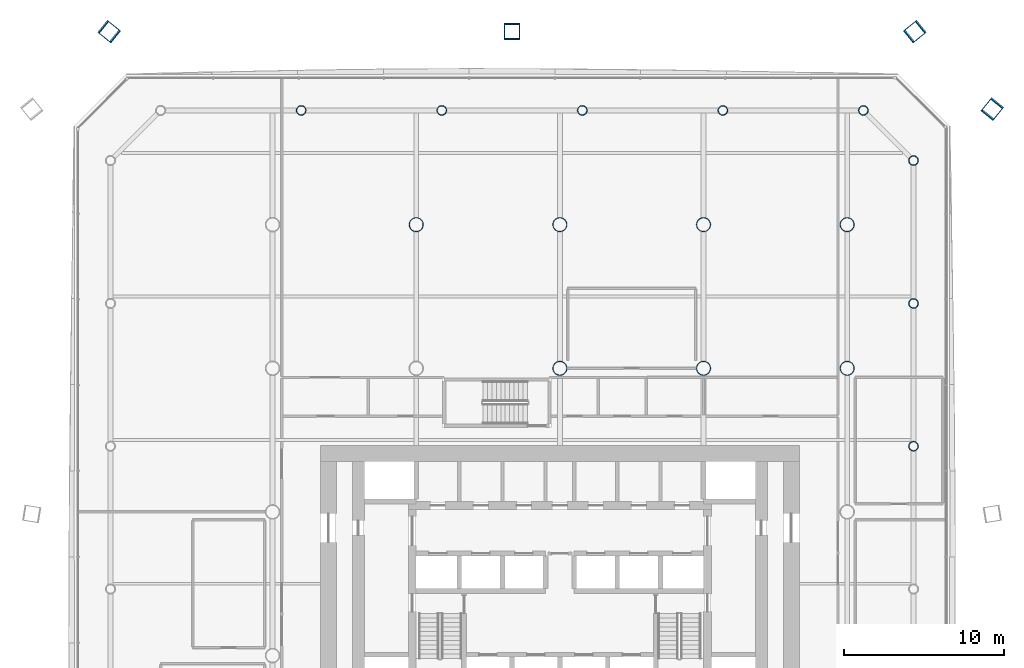
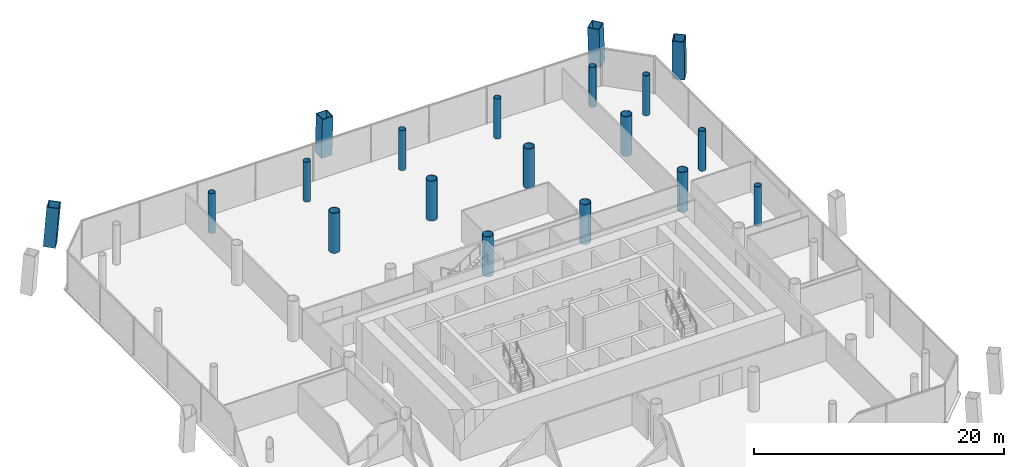
# One storey, part 2 of 22: 19 columns.
"""IFC4 building model written with IfcOpenShell, lengths in metres."""

from ifc_helpers import new_model, si_unit, direction, frame, origin, origin_2d, place, context, subcontext, project, spatial, hollow_rectangle, hollow_circle, extrude, material, material_profile, profile_set, type_object, element, save


model = new_model("IFC4")

# Units and contexts
model_context = context("Model", 3, precision=1e-05, world=origin(), true_north=direction((0.0, 1.0)))
body_context = subcontext(model_context, "Body", "Model", "MODEL_VIEW")
ifc_project = project(units=[si_unit("LENGTHUNIT", "METRE"), si_unit("AREAUNIT", "SQUARE_METRE"), si_unit("VOLUMEUNIT", "CUBIC_METRE"), si_unit("PLANEANGLEUNIT", "RADIAN"), si_unit("MASSUNIT", "GRAM", prefix="KILO")], contexts=[model_context])

# Site, building, storey
site_placement = place(None, origin())
site = spatial("IfcSite", under=ifc_project, at=site_placement, CompositionType="ELEMENT")
building_placement = place(site_placement, origin())
building = spatial("IfcBuilding", under=site, at=building_placement, Name="Tskaro Facet Tower", CompositionType="ELEMENT")
storey_placement = place(building_placement, frame((0.0, 0.0, 26.39990234375)))
storey = spatial("IfcBuildingStorey", under=building, at=storey_placement, Name="L05", CompositionType="ELEMENT", Elevation=26.39990234375)

# Columns
ifc_material_1 = material(Name="Steel S460M", Category="steel")
ifc_material_profile_1 = material_profile(ifc_material_1, hollow_rectangle(XDim=1.0, YDim=1.0, WallThickness=0.06005859375, at=origin_2d()), Name="BOX 1000x1000x60")
ifc_profile_set_1 = profile_set([ifc_material_profile_1], Name="Steel S460M")
column_type_1 = type_object("IfcColumnType", Name="BOX 1000x1000x60 mega column", PredefinedType="COLUMN", material=ifc_profile_set_1)
for number, where, z_axis, x_axis, name in (
    (1, (27.1201171875, 25.27490234375, 0.0), (-0.046817777742, -0.057991620696, 0.997218665898), (0.778082876381, -0.628161633246, 0.0), "BOX 1000x1000x60 MC06/1"),
    (2, (22.27490234375, 30.1201171875, 0.0), (-0.057991620696, -0.046817777742, 0.997218665898), (0.628161633246, -0.778082876381, 0.0), "BOX 1000x1000x60 MC07/1"),
):
    element("IfcColumn", number, at=place(storey_placement, frame(where, z_axis=z_axis, x_axis=x_axis)), inside=storey, type_object=column_type_1, Name=name, PredefinedType="COLUMN", context=body_context, shape_type="SweptSolid", body=[
        extrude(hollow_rectangle(XDim=1.0, YDim=1.0, WallThickness=0.06005859375, at=origin_2d()), origin(), (0.0, 0.0, 1.0), 3.9111328125),
    ])
column_1_placement = place(storey_placement, frame((-3.0, 30.1201171875, 0.0), z_axis=(0.0, -0.046896701615, 0.998899744408), x_axis=(1.0, 0.0, 0.0)))
element("IfcColumn", 3, at=column_1_placement, inside=storey, type_object=column_type_1, Name="BOX 1000x1000x60 MC08/1", PredefinedType="COLUMN", context=body_context, shape_type="SweptSolid", body=[
    extrude(hollow_rectangle(XDim=1.0, YDim=1.0, WallThickness=0.06005859375, at=origin_2d()), origin(), (0.0, 0.0, 1.0), 3.904541015625),
])
column_2_placement = place(storey_placement, frame((-28.27490234375, 30.1201171875, 0.0), z_axis=(0.057991620696, -0.046817777742, 0.997218665898), x_axis=(0.628161633246, 0.778082876381, 0.0)))
element("IfcColumn", 4, at=column_2_placement, inside=storey, type_object=column_type_1, Name="BOX 1000x1000x60 MC09/1", PredefinedType="COLUMN", context=body_context, shape_type="SweptSolid", body=[
    extrude(hollow_rectangle(XDim=1.0, YDim=1.0, WallThickness=0.06005859375, at=origin_2d()), origin(), (0.0, 0.0, 1.0), 3.9111328125),
])
ifc_material_2 = material(Name="Steel S355J2H", Category="steel")
ifc_material_profile_2 = material_profile(ifc_material_2, hollow_circle(Radius=0.304931640625, WallThickness=0.030029296875, at=origin_2d()), Name="CHS 610x30")
ifc_profile_set_2 = profile_set([ifc_material_profile_2], Name="Steel S355J2H")
column_type_2 = type_object("IfcColumnType", Name="CHS 610x30 ring column", PredefinedType="COLUMN", material=ifc_profile_set_2)
for number, where, z_axis, x_axis, name in (
    (5, (22.156982421875, 4.115966796875, 0.0), (0.0, 0.0, 1.0), (1.0, 0.0, 0.0), "CHS 610x30 RE-4/1"),
    (6, (22.156982421875, 13.06396484375, 0.0), (0.0, 0.0, 1.0), (1.0, 0.0, 0.0), "CHS 610x30 RE-5/1"),
    (7, (22.156982421875, 22.011962890625, 0.0), (0.0, 0.0, 1.0), (1.0, 0.0, 0.0), "CHS 610x30 RNE-1/1"),
    (8, (19.011962890625, 25.156982421875, 0.0), (0.0, 0.0, 1.0), (1.0, 0.0, 0.0), "CHS 610x30 RN-1/1"),
    (9, (10.20703125, 25.156982421875, 0.0), (0.0, 0.0, 1.0), (1.0, 0.0, 0.0), "CHS 610x30 RN-2/1"),
    (10, (1.402099609375, 25.156982421875, 0.0), (0.0, 0.0, 1.0), (1.0, 0.0, 0.0), "CHS 610x30 RN-3/1"),
    (11, (-7.402099609375, 25.156982421875, 0.0), (0.0, 0.0, 1.0), (1.0, 0.0, 0.0), "CHS 610x30 RN-4/1"),
    (12, (-16.20703125, 25.156982421875, 0.0), (0.0, 0.0, 1.0), (1.0, 0.0, 0.0), "CHS 610x30 RN-5/1"),
):
    element("IfcColumn", number, at=place(storey_placement, frame(where, z_axis=z_axis, x_axis=x_axis)), inside=storey, type_object=column_type_2, Name=name, PredefinedType="COLUMN", context=body_context, shape_type="SweptSolid", body=[
        extrude(hollow_circle(Radius=0.304931640625, WallThickness=0.030029296875, at=origin_2d()), origin(), (0.0, 0.0, 1.0), 3.900146484375),
    ])
ifc_material_profile_3 = material_profile(ifc_material_2, hollow_circle(Radius=0.457275390625, WallThickness=0.050048828125, at=origin_2d()), Name="CHS 914.4x50")
ifc_profile_set_3 = profile_set([ifc_material_profile_3], Name="Steel S355J2H")
column_type_3 = type_object("IfcColumnType", Name="CHS 914.4x50 interior column", PredefinedType="COLUMN", material=ifc_profile_set_3)
for number, where, z_axis, x_axis, name in (
    (13, (-9.0, 18.0, 0.0), (0.0, 0.0, 1.0), (1.0, 0.0, 0.0), "CHS 914.4x50 C3F/1"),
    (14, (0.0, 9.0, 0.0), (0.0, 0.0, 1.0), (1.0, 0.0, 0.0), "CHS 914.4x50 C4E/1"),
    (15, (0.0, 18.0, 0.0), (0.0, 0.0, 1.0), (1.0, 0.0, 0.0), "CHS 914.4x50 C4F/1"),
    (16, (9.0, 9.0, 0.0), (0.0, 0.0, 1.0), (1.0, 0.0, 0.0), "CHS 914.4x50 C5E/1"),
    (17, (9.0, 18.0, 0.0), (0.0, 0.0, 1.0), (1.0, 0.0, 0.0), "CHS 914.4x50 C5F/1"),
    (18, (18.0, 9.0, 0.0), (0.0, 0.0, 1.0), (1.0, 0.0, 0.0), "CHS 914.4x50 C6E/1"),
    (19, (18.0, 18.0, 0.0), (0.0, 0.0, 1.0), (1.0, 0.0, 0.0), "CHS 914.4x50 C6F/1"),
):
    element("IfcColumn", number, at=place(storey_placement, frame(where, z_axis=z_axis, x_axis=x_axis)), inside=storey, type_object=column_type_3, Name=name, PredefinedType="COLUMN", context=body_context, shape_type="SweptSolid", body=[
        extrude(hollow_circle(Radius=0.457275390625, WallThickness=0.050048828125, at=origin_2d()), origin(), (0.0, 0.0, 1.0), 3.900146484375),
    ])

save(model, "model.ifc")
